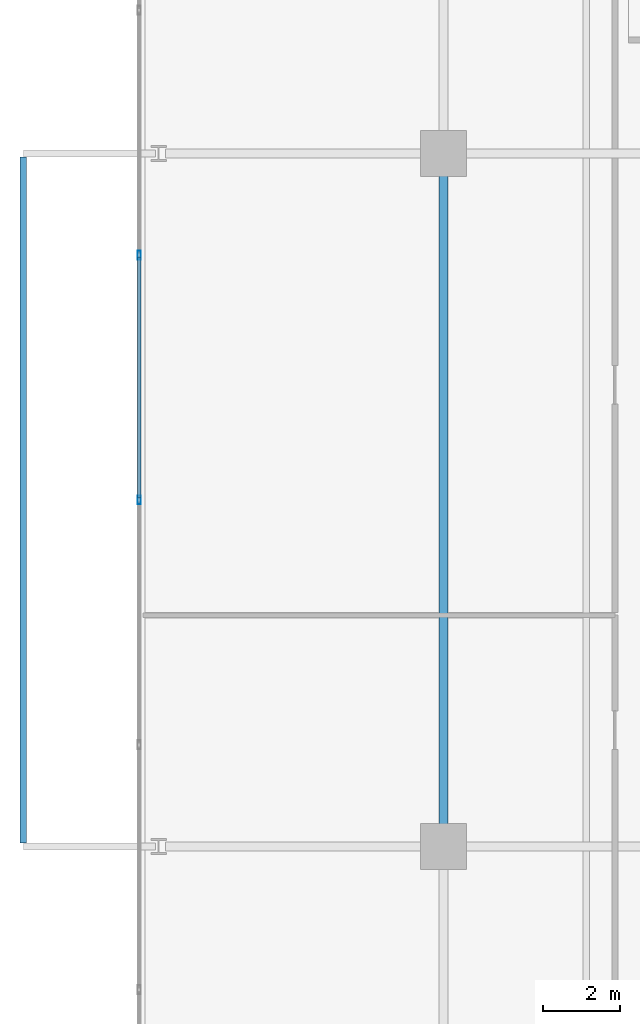
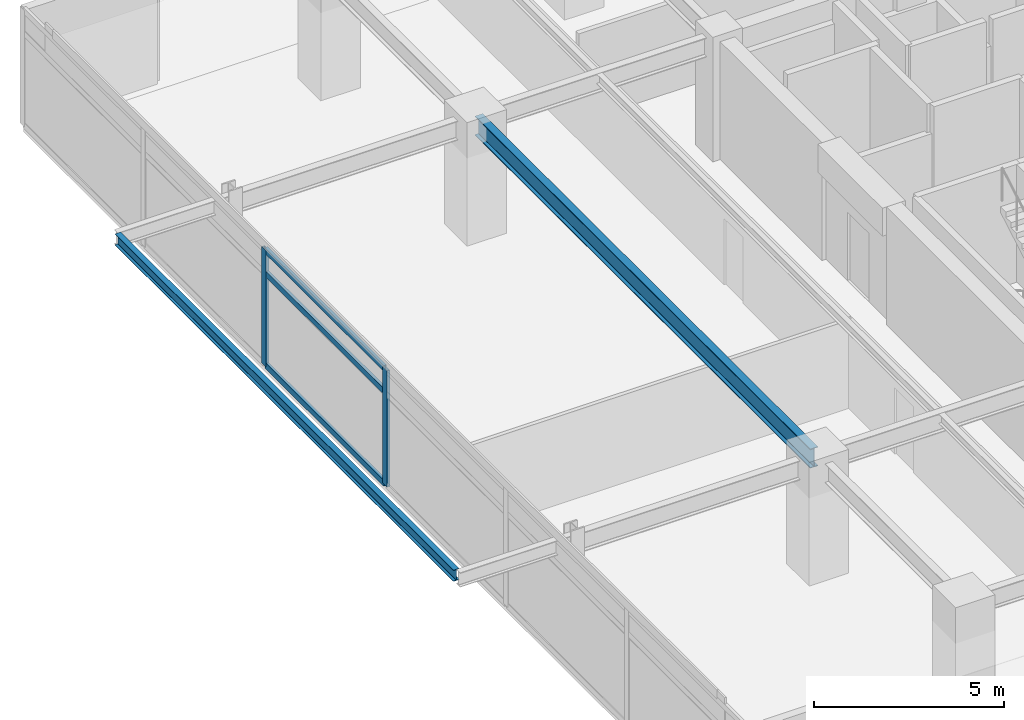
# One storey, part 5 of 23: 5 members, 2 beams, 1 element without a shape of its own.
"""IFC4 building model written with IfcOpenShell, lengths in metres."""

import ifcopenshell
import ifcopenshell.guid

model = None  # the IFC model being written
_history = None  # IfcOwnerHistory: only IFC2X3 demands one
_inside = {}  # id of a spatial element -> (the spatial element, [elements in it])
_under = {}  # id of a project, library or spatial element -> (it, [spatial elements below it])
_declared = {}  # id of a project -> (the project, [libraries it declares])
_typed = {}  # id of a type object -> (the type object, [elements of that type])
_made_of = {}  # id of a material, layer set ... -> (it, [elements and type objects made of it])


def new_model(schema):
    """Start an empty IFC model of exactly this schema.

    Asked for "IFC4X3", IfcOpenShell would pick the latest addendum, in which some entities
    have other attributes; the version numbers below select the first issue.
    IFC2X3 requires an IfcOwnerHistory on every rooted entity: one is made here for all.
    """
    global model, _history
    if schema == "IFC4X3":
        model = ifcopenshell.file(schema_version=(4, 3, 0, 0))
    else:
        model = ifcopenshell.file(schema=schema)
    _inside.clear()
    _under.clear()
    _declared.clear()
    _typed.clear()
    _made_of.clear()
    _history = None
    if model.schema == "IFC2X3":
        org = make("IfcOrganization", Name="unknown")
        user = make(
            "IfcPersonAndOrganization",
            ThePerson=make("IfcPerson", FamilyName="unknown"),
            TheOrganization=org,
        )
        app = make(
            "IfcApplication",
            ApplicationDeveloper=org,
            Version="unknown",
            ApplicationFullName="unknown",
            ApplicationIdentifier="unknown",
        )
        _history = make(
            "IfcOwnerHistory",
            OwningUser=user,
            OwningApplication=app,
            ChangeAction="ADDED",
            CreationDate=0,
        )
    return model


def make(cls, **values):
    """One entity of the class cls with the attributes given. An attribute that is None is left unset."""
    return model.create_entity(
        cls, **{name: value for name, value in values.items() if value is not None}
    )


def rooted(cls, **values):
    """An entity with a GlobalId (a new one), such as an element, a storey or a relation."""
    return make(cls, GlobalId=ifcopenshell.guid.new(), OwnerHistory=_history, **values)


def si_unit(unit_type, name, prefix=None):
    """IfcSIUnit, for example si_unit("LENGTHUNIT", "METRE", prefix="MILLI")."""
    return make("IfcSIUnit", UnitType=unit_type, Prefix=prefix, Name=name)


def assignment(units):
    """IfcUnitAssignment: the units of a project."""
    return None if units is None else make("IfcUnitAssignment", Units=units)


def point(xyz):
    """IfcCartesianPoint."""
    return None if xyz is None else make("IfcCartesianPoint", Coordinates=xyz)


def direction(xyz):
    """IfcDirection."""
    return None if xyz is None else make("IfcDirection", DirectionRatios=xyz)


def frame(location, z_axis=None, x_axis=None):
    """IfcAxis2Placement3D, a coordinate frame: its origin and axes. An axis left out is left unset."""
    return make(
        "IfcAxis2Placement3D",
        Location=point(location),
        Axis=direction(z_axis),
        RefDirection=direction(x_axis),
    )


def frame_2d(location, x_axis=None):
    """IfcAxis2Placement2D, a coordinate frame in the plane: its origin and x axis."""
    return make(
        "IfcAxis2Placement2D", Location=point(location), RefDirection=direction(x_axis)
    )


def origin():
    """The frame at (0, 0, 0) with its axes left unset."""
    return frame((0.0, 0.0, 0.0))


def origin_2d():
    """The frame at (0, 0) in the plane with its x axis left unset."""
    return frame_2d((0.0, 0.0))


def place(relative_to, where):
    """IfcLocalPlacement: puts the frame where relative to a parent placement (None: the world)."""
    return make(
        "IfcLocalPlacement", PlacementRelTo=relative_to, RelativePlacement=where
    )


def context(
    kind, dimensions, precision=None, world=None, true_north=None, identifier=None
):
    """IfcGeometricRepresentationContext, for example the 3D "Model" context."""
    return make(
        "IfcGeometricRepresentationContext",
        ContextIdentifier=identifier,
        ContextType=kind,
        CoordinateSpaceDimension=dimensions,
        Precision=precision,
        WorldCoordinateSystem=world,
        TrueNorth=true_north,
    )


def subcontext(parent, identifier, kind, view, scale=None):
    """IfcGeometricRepresentationSubContext, for example "Body" below "Model"."""
    return make(
        "IfcGeometricRepresentationSubContext",
        ContextIdentifier=identifier,
        ContextType=kind,
        ParentContext=parent,
        TargetScale=scale,
        TargetView=view,
    )


def project(units=None, contexts=None):
    """IfcProject with its units and contexts."""
    return rooted(
        "IfcProject",
        Name="project",
        RepresentationContexts=contexts,
        UnitsInContext=assignment(units),
    )


def spatial(cls, under=None, at=None, **own):
    """A site, building, storey or space (cls), placed at a placement, below another one or the project."""
    s = rooted(cls, ObjectPlacement=at, **own)
    if under is not None:
        _under.setdefault(under.id(), (under, []))[1].append(s)
    return s


def profile(cls, at=None, kind="AREA", **sizes):
    """A parametric profile (cls). Its sizes go by their IFC names, for example OverallWidth=200.0."""
    return make(cls, ProfileType=kind, Position=at, **sizes)


def hollow_rectangle(**sizes):
    """IfcRectangleHollowProfileDef."""
    return profile("IfcRectangleHollowProfileDef", **sizes)


def i_section(**sizes):
    """IfcIShapeProfileDef."""
    return profile("IfcIShapeProfileDef", **sizes)


def extrude(swept, where, along, depth):
    """IfcExtrudedAreaSolid: the profile swept, set in the frame where, extruded along a direction by depth."""
    return make(
        "IfcExtrudedAreaSolid",
        SweptArea=swept,
        Position=where,
        ExtrudedDirection=direction(along),
        Depth=depth,
    )


def shape(context_of_items, identifier, shape_type, items):
    """IfcShapeRepresentation: the items that make up one representation, for example the "Body"."""
    return make(
        "IfcShapeRepresentation",
        ContextOfItems=context_of_items,
        RepresentationIdentifier=identifier,
        RepresentationType=shape_type,
        Items=items,
    )


def material(Name=None, Category=None):
    """IfcMaterial."""
    return make("IfcMaterial", Name=Name, Category=Category)


def material_profile(
    of_material, cross_section, Name=None, Category=None, Priority=None
):
    """IfcMaterialProfile: a cross section and its material."""
    return make(
        "IfcMaterialProfile",
        Name=Name,
        Material=of_material,
        Profile=cross_section,
        Priority=Priority,
        Category=Category,
    )


def profile_set(profiles, Name=None, composite=None):
    """IfcMaterialProfileSet."""
    return make(
        "IfcMaterialProfileSet",
        Name=Name,
        MaterialProfiles=profiles,
        CompositeProfile=composite,
    )


def made_of(thing, what):
    """Note that an element or type object is made of a material, layer set ...; save() writes the relation."""
    if what is not None:
        _made_of.setdefault(what.id(), (what, []))[1].append(thing)
    return thing


def type_object(cls, material=None, **own):
    """A type object (cls), such as IfcWallType, which elements share."""
    return made_of(rooted(cls, **own), material)


def element(
    cls,
    number,
    at=None,
    inside=None,
    cuts=None,
    type_object=None,
    material=None,
    context=None,
    identifier="Body",
    shape_type=None,
    held_by="IfcProductDefinitionShape",
    body=None,
    shapes=None,
    **own,
):
    """One element of the class cls, such as IfcWall. Its Tag is "e" and its number.

    at: its placement. inside: the storey or other place that contains it. cuts: it is an
    opening in that element (IfcRelVoidsElement). A single representation is given by context,
    identifier, shape_type and body (its items); several are given by shapes. held_by: the class
    of the entity that holds the representations. save() writes the other relations.
    """
    e = rooted(cls, Tag="e%d" % number, ObjectPlacement=at, **own)
    if body is not None:
        shapes = [shape(context, identifier, shape_type, body)]
    if shapes is not None:
        e.Representation = make(held_by, Representations=shapes)
    if inside is not None:
        _inside.setdefault(inside.id(), (inside, []))[1].append(e)
    if cuts is not None:
        rooted(
            "IfcRelVoidsElement", RelatingBuildingElement=cuts, RelatedOpeningElement=e
        )
    if type_object is not None:
        _typed.setdefault(type_object.id(), (type_object, []))[1].append(e)
    return made_of(e, material)


def aggregate(whole, parts):
    """IfcRelAggregates: a whole, such as a stair, and the parts it consists of."""
    return rooted("IfcRelAggregates", RelatingObject=whole, RelatedObjects=parts)


def save(model, path):
    """Write the relations noted so far, then the file.

    IfcRelAggregates (storeys below a building ...), IfcRelContainedInSpatialStructure (elements
    in a storey), IfcRelDefinesByType, IfcRelAssociatesMaterial and IfcRelDeclares: one each for
    every whole, place, type object, material and project.
    """
    for whole, parts in _under.values():
        aggregate(whole, parts)
    for where, things in _inside.values():
        rooted(
            "IfcRelContainedInSpatialStructure",
            RelatedElements=things,
            RelatingStructure=where,
        )
    for kind, things in _typed.values():
        rooted("IfcRelDefinesByType", RelatedObjects=things, RelatingType=kind)
    for what, things in _made_of.values():
        rooted("IfcRelAssociatesMaterial", RelatedObjects=things, RelatingMaterial=what)
    for by, libraries in _declared.values():
        rooted("IfcRelDeclares", RelatingContext=by, RelatedDefinitions=libraries)
    model.write(path)


model = new_model("IFC4")

# Units and contexts
model_context = context("Model", 3, precision=1e-05, world=origin(), true_north=direction((0.0, 1.0)))
body_context = subcontext(model_context, "Body", "Model", "MODEL_VIEW")
ifc_project = project(units=[si_unit("LENGTHUNIT", "METRE"), si_unit("AREAUNIT", "SQUARE_METRE"), si_unit("VOLUMEUNIT", "CUBIC_METRE"), si_unit("PLANEANGLEUNIT", "RADIAN"), si_unit("MASSUNIT", "GRAM", prefix="KILO")], contexts=[model_context])

# Site, building, storey
site_placement = place(None, origin())
site = spatial("IfcSite", under=ifc_project, at=site_placement, CompositionType="ELEMENT")
building_placement = place(site_placement, origin())
building = spatial("IfcBuilding", under=site, at=building_placement, Name="Kovane Verandah Tower", CompositionType="ELEMENT")
storey_placement = place(building_placement, frame((0.0, 0.0, 243.199951171875)))
storey = spatial("IfcBuildingStorey", under=building, at=storey_placement, Name="L56", CompositionType="ELEMENT", Elevation=243.199951171875)

# Beam
ifc_material_1 = material(Name="Steel S355", Category="steel")
ifc_material_profile_1 = material_profile(ifc_material_1, i_section(OverallWidth=0.230224609375, OverallDepth=0.6171875, WebThickness=0.01318359375, FlangeThickness=0.022216796875, FilletRadius=0.0126953125, at=origin_2d()), Name="UB610x229x140")
ifc_profile_set_1 = profile_set([ifc_material_profile_1], Name="Steel S355")
beam_type_1 = type_object("IfcBeamType", Name="BM-UB610x140", PredefinedType="BEAM", material=ifc_profile_set_1)
beam_1_placement = place(storey_placement, frame((21.60009765625, 18.679931640625, 3.4765625), z_axis=(0.0, 1.0, 0.0), x_axis=(-1.0, 0.0, 0.0)))
element("IfcBeam", 1, at=beam_1_placement, inside=storey, type_object=beam_type_1, Name="L56 Primary Tower Girder G-RW2", PredefinedType="BEAM", context=body_context, shape_type="SweptSolid", body=[
    extrude(i_section(OverallWidth=0.230224609375, OverallDepth=0.6171875, WebThickness=0.01318359375, FlangeThickness=0.022216796875, FilletRadius=0.0126953125, at=origin_2d()), origin(), (0.0, 0.0, 1.0), 17.64013671875),
])

# Curtain wall, members
ifc_material_2 = material(Name="Champagne Anodised Aluminium Frame with Low-E Clear Laminated Glass", Category="aluminium")
curtain_wall_type = type_object("IfcCurtainWallType", Name="CW-SYS-05-HIGH", PredefinedType="NOTDEFINED", material=ifc_material_2)
curtain_wall_placement = place(storey_placement, origin())
curtain_wall = element("IfcCurtainWall", 2, at=curtain_wall_placement, inside=storey, type_object=curtain_wall_type, Name="L56 W Unitised Curtain Wall", PredefinedType="NOTDEFINED")
ifc_material_3 = material(Name="Champagne Anodised Aluminium 6063-T6", Category="aluminium")
ifc_material_profile_2 = material_profile(ifc_material_3, hollow_rectangle(XDim=0.0849609375, YDim=0.22998046875, WallThickness=0.00390625, at=origin_2d()), Name="AL85x230x4")
ifc_profile_set_2 = profile_set([ifc_material_profile_2], Name="Champagne Anodised Aluminium 6063-T6")
member_type_1 = type_object("IfcMemberType", Name="CW-MUL-85x230", PredefinedType="MULLION", material=ifc_profile_set_2)
member_1_placement = place(storey_placement, frame((13.6923828125, 33.860107421875, 0.02001953125), z_axis=(0.0, 0.0, 1.0), x_axis=(-1.0, 0.0, 0.0)))
member_1 = element("IfcMember", 3, at=member_1_placement, type_object=member_type_1, Name="L56 W Unitised Curtain Wall Mullion 3", PredefinedType="MULLION", context=body_context, shape_type="SweptSolid", body=[
    extrude(hollow_rectangle(XDim=0.0849609375, YDim=0.22998046875, WallThickness=0.00390625, at=origin_2d()), origin(), (0.0, 0.0, 1.0), 3.7451171875),
])
member_2_placement = place(storey_placement, frame((13.6923828125, 27.5, 0.02001953125), z_axis=(0.0, 0.0, 1.0), x_axis=(-1.0, 0.0, 0.0)))
member_2 = element("IfcMember", 4, at=member_2_placement, type_object=member_type_1, Name="L56 W Unitised Curtain Wall Mullion 4", PredefinedType="MULLION", context=body_context, shape_type="SweptSolid", body=[
    extrude(hollow_rectangle(XDim=0.0849609375, YDim=0.22998046875, WallThickness=0.00390625, at=origin_2d()), origin(), (0.0, 0.0, 1.0), 3.7451171875),
])
ifc_material_profile_3 = material_profile(ifc_material_3, hollow_rectangle(XDim=0.0849609375, YDim=0.18994140625, WallThickness=0.00390625, at=origin_2d()), Name="AL85x190x4")
ifc_profile_set_3 = profile_set([ifc_material_profile_3], Name="Champagne Anodised Aluminium 6063-T6")
member_type_2 = type_object("IfcMemberType", Name="CW-TRN-85x190", PredefinedType="USERDEFINED", material=ifc_profile_set_3)
member_3_placement = place(storey_placement, frame((13.6923828125, 33.81005859375, 0.050048828125), z_axis=(0.0, -1.0, 0.0), x_axis=(1.0, 0.0, 0.0)))
member_3 = element("IfcMember", 5, at=member_3_placement, type_object=member_type_2, Name="L56 W Unitised Curtain Wall Transom TB Bay 3", ObjectType="TRANSOM", PredefinedType="USERDEFINED", context=body_context, shape_type="SweptSolid", body=[
    extrude(hollow_rectangle(XDim=0.0849609375, YDim=0.18994140625, WallThickness=0.00390625, at=origin_2d()), origin(), (0.0, 0.0, 1.0), 6.260009765625),
])
member_4_placement = place(storey_placement, frame((13.6923828125, 33.81005859375, 3.005126953125), z_axis=(0.0, -1.0, 0.0), x_axis=(1.0, 0.0, 0.0)))
member_4 = element("IfcMember", 6, at=member_4_placement, type_object=member_type_2, Name="L56 W Unitised Curtain Wall Transom TM Bay 3", ObjectType="TRANSOM", PredefinedType="USERDEFINED", context=body_context, shape_type="SweptSolid", body=[
    extrude(hollow_rectangle(XDim=0.0849609375, YDim=0.18994140625, WallThickness=0.00390625, at=origin_2d()), origin(), (0.0, 0.0, 1.0), 6.260009765625),
])
member_5_placement = place(storey_placement, frame((13.6923828125, 33.81005859375, 3.735107421875), z_axis=(0.0, -1.0, 0.0), x_axis=(1.0, 0.0, 0.0)))
member_5 = element("IfcMember", 7, at=member_5_placement, type_object=member_type_2, Name="L56 W Unitised Curtain Wall Transom TT Bay 3", ObjectType="TRANSOM", PredefinedType="USERDEFINED", context=body_context, shape_type="SweptSolid", body=[
    extrude(hollow_rectangle(XDim=0.0849609375, YDim=0.18994140625, WallThickness=0.00390625, at=origin_2d()), origin(), (0.0, 0.0, 1.0), 6.260009765625),
])
aggregate(curtain_wall, [member_1, member_2, member_3, member_4, member_5])

# Beam
ifc_material_profile_4 = material_profile(ifc_material_1, i_section(OverallWidth=0.173095703125, OverallDepth=0.36328125, WebThickness=0.009033203125, FlangeThickness=0.015625, FilletRadius=0.01025390625, at=origin_2d()), Name="UB356x171x67")
ifc_profile_set_4 = profile_set([ifc_material_profile_4], Name="Steel S355")
beam_type_2 = type_object("IfcBeamType", Name="SPD-UB356x67", PredefinedType="USERDEFINED", material=ifc_profile_set_4)
beam_2_placement = place(storey_placement, frame((10.68359375, 18.594482421875, 3.578369140625), z_axis=(0.0, 1.0, 0.0), x_axis=(-1.0, 0.0, 0.0)))
element("IfcBeam", 8, at=beam_2_placement, inside=storey, type_object=beam_type_2, Name="L56 West Planter Edge Spandrel", ObjectType="SPANDREL", PredefinedType="USERDEFINED", context=body_context, shape_type="SweptSolid", body=[
    extrude(i_section(OverallWidth=0.173095703125, OverallDepth=0.36328125, WebThickness=0.009033203125, FlangeThickness=0.015625, FilletRadius=0.01025390625, at=origin_2d()), origin(), (0.0, 0.0, 1.0), 17.81103515625),
])

save(model, "model.ifc")
